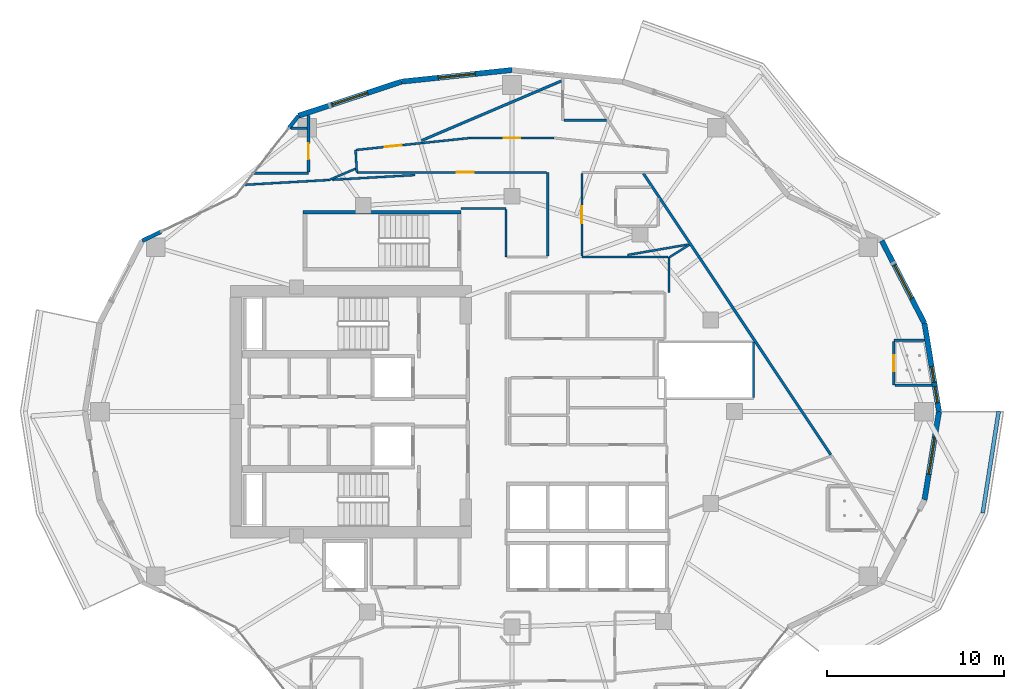
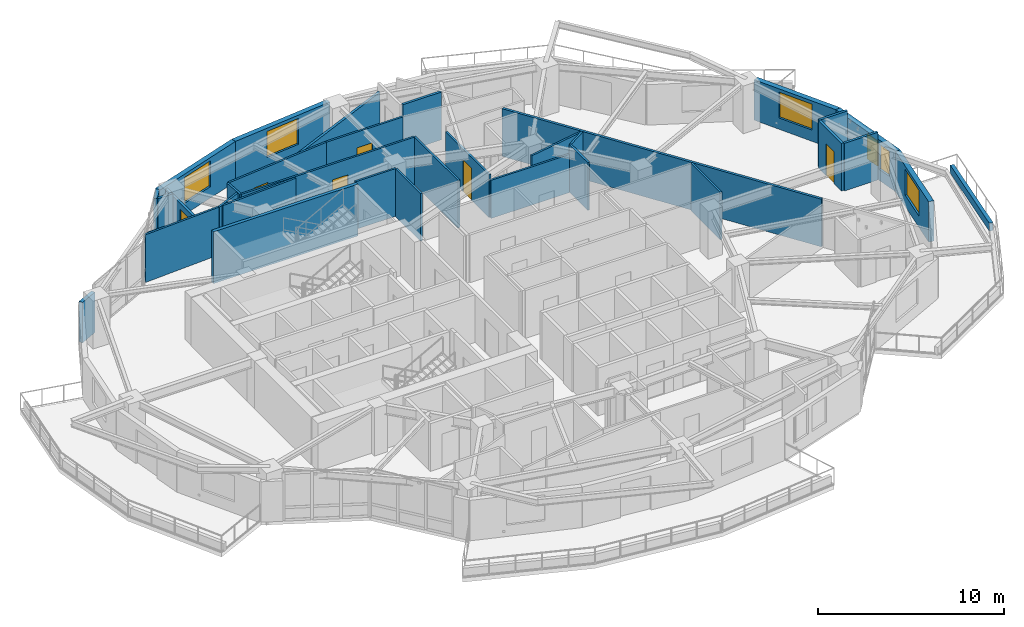
# One storey, part 11 of 18: 34 walls, 6 doors, 6 windows, 12 openings.
"""IFC4 building model written with IfcOpenShell, lengths in metres."""

from ifc_helpers import new_model, si_unit, direction, frame, frame_2d, origin, place, context, subcontext, project, spatial, rectangle, extrude, material, layer, layer_set, type_object, element, fill, save


model = new_model("IFC4")

# Units and contexts
model_context = context("Model", 3, precision=1e-05, world=origin(), true_north=direction((0.0, 1.0)))
body_context = subcontext(model_context, "Body", "Model", "MODEL_VIEW")
ifc_project = project(units=[si_unit("LENGTHUNIT", "METRE"), si_unit("AREAUNIT", "SQUARE_METRE"), si_unit("VOLUMEUNIT", "CUBIC_METRE"), si_unit("PLANEANGLEUNIT", "RADIAN"), si_unit("MASSUNIT", "GRAM", prefix="KILO")], contexts=[model_context])

# Site, building, storey
site_placement = place(None, origin())
site = spatial("IfcSite", under=ifc_project, at=site_placement, CompositionType="ELEMENT")
building_placement = place(site_placement, origin())
building = spatial("IfcBuilding", under=site, at=building_placement, Name="Kolvaren Gate Tower and Convention Centre", CompositionType="ELEMENT")
storey_placement = place(building_placement, frame((0.0, 0.0, 108.699951171875)))
storey = spatial("IfcBuildingStorey", under=building, at=storey_placement, Name="L26", CompositionType="ELEMENT", Elevation=108.699951171875)

# Walls
ifc_material_1 = material(Name="Fire-Rated Acoustic Gypsum Stud Partition", Category="gypsum")
ifc_layer_1 = layer(ifc_material_1, 0.1201171875)
ifc_layer_set_1 = layer_set([ifc_layer_1], Name="Fire-Rated Acoustic Gypsum Stud Partition")
wall_type_1 = type_object("IfcWallType", Name="ARCH-WL-PART-120", PredefinedType="PARTITIONING", material=ifc_layer_set_1)
wall_1_placement = place(storey_placement, frame((39.02001953125, 33.75, 0.0), z_axis=(0.0, 0.0, 1.0), x_axis=(0.0, 1.0, 0.0)))
element("IfcWall", 1, at=wall_1_placement, inside=storey, type_object=wall_type_1, Name="Interior Partition WL-L26-INT-029", PredefinedType="PARTITIONING", context=body_context, shape_type="SweptSolid", body=[
    extrude(rectangle(XDim=2.0, YDim=0.1201171875, at=frame_2d((1.0, 0.0))), origin(), (0.0, 0.0, 1.0), 3.130126953125),
])
wall_2_placement = place(storey_placement, frame((21.263916015625, 41.81787109375, 0.0), z_axis=(0.0, 0.0, 1.0), x_axis=(0.0574492264, -0.99834842935, 0.0)))
element("IfcWall", 2, at=wall_2_placement, inside=storey, type_object=wall_type_1, Name="Interior Partition WL-L26-INT-035", PredefinedType="PARTITIONING", context=body_context, shape_type="SweptSolid", body=[
    extrude(rectangle(XDim=1.270751953125, YDim=0.1201171875, at=frame_2d((0.63525390625, 0.0))), origin(), (0.0, 0.0, 1.0), 3.130126953125),
])
wall_3_placement = place(storey_placement, frame((27.25, 38.5, 0.0), z_axis=(0.0, 0.0, 1.0), x_axis=(1.0, 0.0, 0.0)))
element("IfcWall", 3, at=wall_3_placement, inside=storey, type_object=wall_type_1, Name="Interior Partition WL-L26-INT-039", PredefinedType="PARTITIONING", context=body_context, shape_type="SweptSolid", body=[
    extrude(rectangle(XDim=2.530029296875, YDim=0.1201171875, at=frame_2d((1.26513671875, 0.0))), origin(), (0.0, 0.0, 1.0), 3.130126953125),
])
wall_4_placement = place(storey_placement, frame((29.780029296875, 35.75, 0.0), z_axis=(0.0, 0.0, 1.0), x_axis=(0.0, 1.0, 0.0)))
element("IfcWall", 4, at=wall_4_placement, inside=storey, type_object=wall_type_1, Name="Interior Partition WL-L26-INT-043", PredefinedType="PARTITIONING", context=body_context, shape_type="SweptSolid", body=[
    extrude(rectangle(XDim=2.68798828125, YDim=0.1201171875, at=frame_2d((1.343994140625, 0.0))), origin(), (0.0, 0.0, 1.0), 3.130126953125),
])
wall_5_placement = place(storey_placement, frame((34.080078125, 35.75, 0.0), z_axis=(0.0, 0.0, 1.0), x_axis=(1.0, 0.0, 0.0)))
element("IfcWall", 5, at=wall_5_placement, inside=storey, type_object=wall_type_1, Name="Interior Partition WL-L26-INT-045", PredefinedType="PARTITIONING", context=body_context, shape_type="SweptSolid", body=[
    extrude(rectangle(XDim=4.8779296875, YDim=0.1201171875, at=frame_2d((2.43896484375, 0.0))), origin(), (0.0, 0.0, 1.0), 2.505126953125),
])
wall_6_placement = place(storey_placement, frame((32.14990234375, 35.81201171875, 0.0), z_axis=(0.0, 0.0, 1.0), x_axis=(0.0, 1.0, 0.0)))
element("IfcWall", 6, at=wall_6_placement, inside=storey, type_object=wall_type_1, Name="Interior Partition WL-L26-INT-046", PredefinedType="PARTITIONING", context=body_context, shape_type="SweptSolid", body=[
    extrude(rectangle(XDim=4.738037109375, YDim=0.1201171875, at=frame_2d((2.369140625, 0.0))), origin(), (0.0, 0.0, 1.0), 3.130126953125),
])

# Wall, opening, door
wall_7_placement = place(storey_placement, frame((21.3505859375, 40.550048828125, 0.0), z_axis=(0.0, 0.0, 1.0), x_axis=(1.0, 0.0, 0.0)))
wall_7 = element("IfcWall", 7, at=wall_7_placement, inside=storey, type_object=wall_type_1, Name="Interior Partition WL-L26-INT-047", PredefinedType="PARTITIONING", context=body_context, shape_type="SweptSolid", body=[
    extrude(rectangle(XDim=10.7373046875, YDim=0.1201171875, at=frame_2d((5.36865234375, 0.0))), origin(), (0.0, 0.0, 1.0), 3.130126953125),
])
opening_1_placement = place(wall_7_placement, frame((5.65576171875, 0.0, 0.0)))
opening_1 = element("IfcOpeningElement", 8, at=opening_1_placement, cuts=wall_7, Name="Opening DR-01", PredefinedType="OPENING", context=body_context, shape_type="SweptSolid", body=[
    extrude(rectangle(XDim=0.949951171875, YDim=2.10009765625, at=frame_2d((0.47509765625, 1.050048828125))), frame((0.0, 0.070068359375, 0.0), z_axis=(0.0, -1.0, 0.0), x_axis=(1.0, 0.0, 0.0)), (0.0, 0.0, 1.0), 0.14013671875),
])
ifc_material_2 = material(Name="Painted Architectural Steelwork ASTM A500 Grade C 345 MPa", Category="steel")
door_type_1 = type_object("IfcDoorType", Name="ARCH-DR-RISER-950", OperationType="SINGLE_SWING_RIGHT", PredefinedType="DOOR", material=ifc_material_2)
door_1_placement = place(opening_1_placement, origin())
door_1 = element("IfcDoor", 9, at=door_1_placement, inside=storey, type_object=door_type_1, Name="Hotel Botanical Clubroom Door", OperationType="SINGLE_SWING_LEFT", OverallHeight=2.10009765625, OverallWidth=0.949951171875, PredefinedType="DOOR", context=body_context, shape_type="SweptSolid", body=[
    extrude(rectangle(XDim=0.949951171875, YDim=2.10009765625, at=frame_2d((0.47509765625, 1.050048828125))), frame((0.0, 0.02490234375, 0.0), z_axis=(0.0, -1.0, 0.0), x_axis=(1.0, 0.0, 0.0)), (0.0, 0.0, 1.0), 0.050048828125),
])
fill(opening_1, door_1)

wall_8_placement = place(storey_placement, frame((21.282958984375, 41.819091796875, 0.0), z_axis=(0.0, 0.0, 1.0), x_axis=(0.994501131299, 0.104725831799, 0.0)))
wall_8 = element("IfcWall", 10, at=wall_8_placement, inside=storey, type_object=wall_type_1, Name="Interior Partition WL-L26-INT-049", PredefinedType="PARTITIONING", context=body_context, shape_type="SweptSolid", body=[
    extrude(rectangle(XDim=6.501708984375, YDim=0.1201171875, at=frame_2d((3.2509765625, 0.0))), origin(), (0.0, 0.0, 1.0), 3.130126953125),
])
opening_2_placement = place(wall_8_placement, frame((1.6494140625, 0.0, 0.0)))
opening_2 = element("IfcOpeningElement", 11, at=opening_2_placement, cuts=wall_8, Name="Opening DR-01", PredefinedType="OPENING", context=body_context, shape_type="SweptSolid", body=[
    extrude(rectangle(XDim=0.949951171875, YDim=2.10009765625, at=frame_2d((0.47509765625, 1.050048828125))), frame((0.0, 0.070068359375, 0.0), z_axis=(0.0, -1.0, 0.0), x_axis=(1.0, 0.0, 0.0)), (0.0, 0.0, 1.0), 0.14013671875),
])
door_2_placement = place(opening_2_placement, origin())
door_2 = element("IfcDoor", 12, at=door_2_placement, inside=storey, type_object=door_type_1, Name="Hotel Guest Room (HTL-L26-08) Door", OperationType="SINGLE_SWING_RIGHT", OverallHeight=2.10009765625, OverallWidth=0.949951171875, PredefinedType="DOOR", context=body_context, shape_type="SweptSolid", body=[
    extrude(rectangle(XDim=0.949951171875, YDim=2.10009765625, at=frame_2d((0.47509765625, 1.050048828125))), frame((0.0, 0.02490234375, 0.0), z_axis=(0.0, -1.0, 0.0), x_axis=(1.0, 0.0, 0.0)), (0.0, 0.0, 1.0), 0.050048828125),
])
fill(opening_2, door_2)

wall_9_placement = place(storey_placement, frame((27.7490234375, 42.5, 0.0), z_axis=(0.0, 0.0, 1.0), x_axis=(1.0, 0.0, 0.0)))
wall_9 = element("IfcWall", 13, at=wall_9_placement, inside=storey, type_object=wall_type_1, Name="Interior Partition WL-L26-INT-050", PredefinedType="PARTITIONING", context=body_context, shape_type="SweptSolid", body=[
    extrude(rectangle(XDim=4.751953125, YDim=0.1201171875, at=frame_2d((2.3759765625, 0.0))), origin(), (0.0, 0.0, 1.0), 3.130126953125),
])
opening_3_placement = place(wall_9_placement, frame((1.90087890625, 0.0, 0.0)))
opening_3 = element("IfcOpeningElement", 14, at=opening_3_placement, cuts=wall_9, Name="Opening DR-01", PredefinedType="OPENING", context=body_context, shape_type="SweptSolid", body=[
    extrude(rectangle(XDim=0.949951171875, YDim=2.10009765625, at=frame_2d((0.47509765625, 1.050048828125))), frame((0.0, 0.070068359375, 0.0), z_axis=(0.0, -1.0, 0.0), x_axis=(1.0, 0.0, 0.0)), (0.0, 0.0, 1.0), 0.14013671875),
])
door_3_placement = place(opening_3_placement, origin())
door_3 = element("IfcDoor", 15, at=door_3_placement, inside=storey, type_object=door_type_1, Name="Hotel Guest Room (HTL-L26-07) Door", OperationType="SINGLE_SWING_LEFT", OverallHeight=2.10009765625, OverallWidth=0.949951171875, PredefinedType="DOOR", context=body_context, shape_type="SweptSolid", body=[
    extrude(rectangle(XDim=0.949951171875, YDim=2.10009765625, at=frame_2d((0.47509765625, 1.050048828125))), frame((0.0, 0.02490234375, 0.0), z_axis=(0.0, -1.0, 0.0), x_axis=(1.0, 0.0, 0.0)), (0.0, 0.0, 1.0), 0.050048828125),
])
fill(opening_3, door_3)

wall_10_placement = place(storey_placement, frame((34.080078125, 35.81201171875, 0.0), z_axis=(0.0, 0.0, 1.0), x_axis=(0.0, 1.0, 0.0)))
wall_10 = element("IfcWall", 16, at=wall_10_placement, inside=storey, type_object=wall_type_1, Name="Interior Partition WL-L26-INT-053", PredefinedType="PARTITIONING", context=body_context, shape_type="SweptSolid", body=[
    extrude(rectangle(XDim=4.676025390625, YDim=0.1201171875, at=frame_2d((2.337890625, 0.0))), origin(), (0.0, 0.0, 1.0), 2.81201171875),
])
opening_4_placement = place(wall_10_placement, frame((1.863037109375, 0.0, 0.0)))
opening_4 = element("IfcOpeningElement", 17, at=opening_4_placement, cuts=wall_10, Name="Opening DR-01", PredefinedType="OPENING", context=body_context, shape_type="SweptSolid", body=[
    extrude(rectangle(XDim=0.949951171875, YDim=2.10009765625, at=frame_2d((0.47509765625, 1.050048828125))), frame((0.0, 0.070068359375, 0.0), z_axis=(0.0, -1.0, 0.0), x_axis=(1.0, 0.0, 0.0)), (0.0, 0.0, 1.0), 0.14013671875),
])
door_4_placement = place(opening_4_placement, origin())
door_4 = element("IfcDoor", 18, at=door_4_placement, inside=storey, type_object=door_type_1, Name="Hotel Guest Room (HTL-L26-06) Door", OperationType="SINGLE_SWING_RIGHT", OverallHeight=2.10009765625, OverallWidth=0.949951171875, PredefinedType="DOOR", context=body_context, shape_type="SweptSolid", body=[
    extrude(rectangle(XDim=0.949951171875, YDim=2.10009765625, at=frame_2d((0.47509765625, 1.050048828125))), frame((0.0, 0.02490234375, 0.0), z_axis=(0.0, -1.0, 0.0), x_axis=(1.0, 0.0, 0.0)), (0.0, 0.0, 1.0), 0.050048828125),
])
fill(opening_4, door_4)

# Walls
wall_11_placement = place(storey_placement, frame((43.800048828125, 27.81201171875, 0.0), z_axis=(0.0, 0.0, 1.0), x_axis=(0.0, 1.0, 0.0)))
element("IfcWall", 19, at=wall_11_placement, inside=storey, type_object=wall_type_1, Name="Interior Partition WL-L26-INT-078", PredefinedType="PARTITIONING", context=body_context, shape_type="SweptSolid", body=[
    extrude(rectangle(XDim=3.137939453125, YDim=0.1201171875, at=frame_2d((1.56884765625, 0.0))), origin(), (0.0, 0.0, 1.0), 3.130126953125),
])
wall_12_placement = place(storey_placement, frame((39.050048828125, 35.75, 0.0), z_axis=(0.0, 0.0, 1.0), x_axis=(0.848206690128, 0.529665376272, 0.0)))
element("IfcWall", 20, at=wall_12_placement, inside=storey, type_object=wall_type_1, Name="Interior Partition WL-L26-INT-082", PredefinedType="PARTITIONING", context=body_context, shape_type="SweptSolid", body=[
    extrude(rectangle(XDim=1.31591796875, YDim=0.1201171875, at=frame_2d((0.657958984375, 0.0))), origin(), (0.0, 0.0, 1.0), 3.130126953125),
])
wall_13_placement = place(storey_placement, frame((36.663818359375, 35.8720703125, 0.0), z_axis=(0.0, 0.0, 1.0), x_axis=(0.985420944478, 0.170133953648, 0.0)))
element("IfcWall", 21, at=wall_13_placement, inside=storey, type_object=wall_type_1, Name="Interior Partition WL-L26-INT-089", PredefinedType="PARTITIONING", context=body_context, shape_type="SweptSolid", body=[
    extrude(rectangle(XDim=3.456787109375, YDim=0.1201171875, at=frame_2d((1.728515625, 0.0))), origin(), (0.0, 0.0, 1.0), 3.130126953125),
])
wall_14_placement = place(storey_placement, frame((19.724609375, 40.102783203125, 0.0), z_axis=(0.0, 0.0, 1.0), x_axis=(0.919883543783, 0.392191618826, 0.0)))
element("IfcWall", 22, at=wall_14_placement, inside=storey, type_object=wall_type_1, Name="Interior Partition WL-L26-INT-092", PredefinedType="PARTITIONING", context=body_context, shape_type="SweptSolid", body=[
    extrude(rectangle(XDim=1.672119140625, YDim=0.1201171875, at=frame_2d((0.8359375, 0.0))), origin(), (0.0, 0.0, 1.0), 3.130126953125),
])
wall_15_placement = place(storey_placement, frame((14.99951171875, 39.84765625, 0.0), z_axis=(0.0, 0.0, 1.0), x_axis=(0.998363675759, 0.057183659599, 0.0)))
element("IfcWall", 23, at=wall_15_placement, inside=storey, type_object=wall_type_1, Name="Interior Partition WL-L26-INT-097", PredefinedType="PARTITIONING", context=body_context, shape_type="SweptSolid", body=[
    extrude(rectangle(XDim=4.726318359375, YDim=0.1201171875, at=frame_2d((2.36328125, 0.0))), origin(), (0.0, 0.0, 1.0), 3.130126953125),
])
wall_16_placement = place(storey_placement, frame((19.94970703125, 40.13134765625, 0.0), z_axis=(0.0, 0.0, 1.0), x_axis=(0.998364901087, 0.057162262711, 0.0)))
element("IfcWall", 24, at=wall_16_placement, inside=storey, type_object=wall_type_1, Name="Interior Partition WL-L26-INT-097 (2)", PredefinedType="PARTITIONING", context=body_context, shape_type="SweptSolid", body=[
    extrude(rectangle(XDim=4.697998046875, YDim=0.1201171875, at=frame_2d((2.34912109375, 0.0))), origin(), (0.0, 0.0, 1.0), 3.130126953125),
])
ifc_material_3 = material(Name="Bogota Sabana Bush-Hammered Sandstone Cladding", Category="masonry")
ifc_layer_2 = layer(ifc_material_3, 0.219970703125)
ifc_layer_set_2 = layer_set([ifc_layer_2], Name="Bogota Sabana Bush-Hammered Sandstone Cladding")
wall_type_2 = type_object("IfcWallType", Name="ARCH-WL-PIER-220", PredefinedType="SOLIDWALL", material=ifc_layer_set_2)
wall_17_placement = place(storey_placement, frame((17.491455078125, 43.06787109375, 0.0), z_axis=(0.0, 0.0, 1.0), x_axis=(0.616330810297, 0.787487353726, 0.0)))
element("IfcWall", 25, at=wall_17_placement, inside=storey, type_object=wall_type_2, Name="Tower L26 Unitised Curtain Wall CW-HTL-UNIT Bay 08 Right Column Pier Wrap", PredefinedType="SOLIDWALL", context=body_context, shape_type="SweptSolid", body=[
    extrude(rectangle(XDim=0.875732421875, YDim=0.219970703125, at=frame_2d((0.43798828125, 0.0))), origin(), (0.0, 0.0, 1.0), 2.653076171875),
])
wall_18_placement = place(storey_placement, frame((9.177978515625, 36.675048828125, 0.0), z_axis=(0.0, 0.0, 1.0), x_axis=(0.901426247285, 0.432932697664, 0.0)))
element("IfcWall", 26, at=wall_18_placement, inside=storey, type_object=wall_type_2, Name="Tower L26 Unitised Curtain Wall CW-HTL-UNIT Bay 09 Left Column Pier Wrap", PredefinedType="SOLIDWALL", context=body_context, shape_type="SweptSolid", body=[
    extrude(rectangle(XDim=1.180908203125, YDim=0.219970703125, at=frame_2d((0.59033203125, 0.0))), origin(), (0.0, 0.0, 1.0), 2.653076171875),
])
ifc_material_4 = material(Name="Piedmont Cream Honed Limestone Cladding", Category="masonry")
ifc_layer_3 = layer(ifc_material_4, 0.219970703125)
ifc_layer_set_3 = layer_set([ifc_layer_3], Name="Piedmont Cream Honed Limestone Cladding")
wall_type_3 = type_object("IfcWallType", Name="ARCH-WL-PLANTER-220", PredefinedType="PARAPET", material=ifc_layer_set_3)
wall_19_placement = place(storey_placement, frame((56.78857421875, 21.254150390625, 0.0), z_axis=(0.0, 0.0, 1.0), x_axis=(0.154903030247, 0.987929679289, 0.0)))
element("IfcWall", 27, at=wall_19_placement, inside=storey, type_object=wall_type_3, Name="Vertical-Forest Balcony Stone Planter Kerb PK-L26-4.3", PredefinedType="PARAPET", context=body_context, shape_type="SweptSolid", body=[
    extrude(rectangle(XDim=5.845703125, YDim=0.219970703125, at=frame_2d((2.9228515625, 0.0))), origin(), (0.0, 0.0, 1.0), 0.52001953125),
])

# Wall, openings, windows
ifc_layer_4 = layer(ifc_material_4, 0.300048828125)
ifc_layer_set_4 = layer_set([ifc_layer_4], Name="Piedmont Cream Honed Limestone Cladding")
wall_type_4 = type_object("IfcWallType", Name="ARCH-WL-STONE-300", PredefinedType="SOLIDWALL", material=ifc_layer_set_4)
wall_20_placement = place(storey_placement, frame((53.48828125, 32.008056640625, 0.0), z_axis=(0.0, 0.0, 1.0), x_axis=(0.162393944769, -0.986726003864, 0.0)))
wall_20 = element("IfcWall", 28, at=wall_20_placement, inside=storey, type_object=wall_type_4, Name="Tower L26 Honed Stone Spandrel Wall EW-00", PredefinedType="SOLIDWALL", context=body_context, shape_type="SweptSolid", body=[
    extrude(rectangle(XDim=5.075439453125, YDim=0.300048828125, at=frame_2d((2.53759765625, 0.0))), origin(), (0.0, 0.0, 1.0), 2.653076171875),
])
opening_5_placement = place(wall_20_placement, frame((2.489990234375, 0.0, 0.719970703125)))
opening_5 = element("IfcOpeningElement", 29, at=opening_5_placement, cuts=wall_20, Name="Opening W-06", PredefinedType="OPENING", context=body_context, shape_type="SweptSolid", body=[
    extrude(rectangle(XDim=0.89990234375, YDim=1.64990234375, at=frame_2d((0.449951171875, 0.824951171875))), frame((0.0, 0.159912109375, 0.0), z_axis=(0.0, -1.0, 0.0), x_axis=(1.0, 0.0, 0.0)), (0.0, 0.0, 1.0), 0.320068359375),
])
opening_6_placement = place(wall_20_placement, frame((3.660400390625, 0.0, 0.719970703125)))
opening_6 = element("IfcOpeningElement", 30, at=opening_6_placement, cuts=wall_20, Name="Opening W-06", PredefinedType="OPENING", context=body_context, shape_type="SweptSolid", body=[
    extrude(rectangle(XDim=0.89990234375, YDim=1.64990234375, at=frame_2d((0.449951171875, 0.824951171875))), frame((0.0, 0.159912109375, 0.0), z_axis=(0.0, -1.0, 0.0), x_axis=(1.0, 0.0, 0.0)), (0.0, 0.0, 1.0), 0.320068359375),
])
ifc_material_5 = material(Name="Low-E Triple Insulated Glazing Unit 44 mm", Category="glass")
window_type_1 = type_object("IfcWindowType", Name="ARCH-WN-PUNCH-900", PartitioningType="SINGLE_PANEL", PredefinedType="WINDOW", material=ifc_material_5)
window_1_placement = place(opening_5_placement, origin())
window_1 = element("IfcWindow", 31, at=window_1_placement, inside=storey, type_object=window_type_1, Name="Tower L26 Punched Stone Facade Window W-00", OverallHeight=1.64990234375, OverallWidth=0.89990234375, PartitioningType="SINGLE_PANEL", PredefinedType="WINDOW", context=body_context, shape_type="SweptSolid", body=[
    extrude(rectangle(XDim=0.89990234375, YDim=1.64990234375, at=frame_2d((0.449951171875, 0.824951171875))), frame((0.0, 0.030029296875, 0.0), z_axis=(0.0, -1.0, 0.0), x_axis=(1.0, 0.0, 0.0)), (0.0, 0.0, 1.0), 0.06005859375),
])
fill(opening_5, window_1)
window_2_placement = place(opening_6_placement, origin())
window_2 = element("IfcWindow", 32, at=window_2_placement, inside=storey, type_object=window_type_1, Name="Tower L26 Punched Stone Facade Window W-00B", OverallHeight=1.64990234375, OverallWidth=0.89990234375, PartitioningType="SINGLE_PANEL", PredefinedType="WINDOW", context=body_context, shape_type="SweptSolid", body=[
    extrude(rectangle(XDim=0.89990234375, YDim=1.64990234375, at=frame_2d((0.449951171875, 0.824951171875))), frame((0.0, 0.030029296875, 0.0), z_axis=(0.0, -1.0, 0.0), x_axis=(1.0, 0.0, 0.0)), (0.0, 0.0, 1.0), 0.06005859375),
])
fill(opening_6, window_2)

# Wall, opening, window
wall_21_placement = place(storey_placement, frame((51.072021484375, 36.675048828125, 0.0), z_axis=(0.0, 0.0, 1.0), x_axis=(0.459767899643, -0.888039119892, 0.0)))
wall_21 = element("IfcWall", 33, at=wall_21_placement, inside=storey, type_object=wall_type_4, Name="Tower L26 Honed Stone Spandrel Wall EW-01", PredefinedType="SOLIDWALL", context=body_context, shape_type="SweptSolid", body=[
    extrude(rectangle(XDim=5.25537109375, YDim=0.300048828125, at=frame_2d((2.627685546875, 0.0))), origin(), (0.0, 0.0, 1.0), 2.653076171875),
])
opening_7_placement = place(wall_21_placement, frame((1.577880859375, 0.0, 0.739990234375)))
opening_7 = element("IfcOpeningElement", 34, at=opening_7_placement, cuts=wall_21, Name="Opening W-02", PredefinedType="OPENING", context=body_context, shape_type="SweptSolid", body=[
    extrude(rectangle(XDim=2.10009765625, YDim=1.699951171875, at=frame_2d((1.050048828125, 0.85009765625))), frame((0.0, 0.159912109375, 0.0), z_axis=(0.0, -1.0, 0.0), x_axis=(1.0, 0.0, 0.0)), (0.0, 0.0, 1.0), 0.320068359375),
])
window_type_2 = type_object("IfcWindowType", Name="ARCH-WN-HTL-2100", PartitioningType="SINGLE_PANEL", PredefinedType="WINDOW", material=ifc_material_5)
window_3_placement = place(opening_7_placement, origin())
window_3 = element("IfcWindow", 35, at=window_3_placement, inside=storey, type_object=window_type_2, Name="Tower L26 Punched Stone Facade Window W-01", OverallHeight=1.699951171875, OverallWidth=2.10009765625, PartitioningType="SINGLE_PANEL", PredefinedType="WINDOW", context=body_context, shape_type="SweptSolid", body=[
    extrude(rectangle(XDim=2.10009765625, YDim=1.699951171875, at=frame_2d((1.050048828125, 0.85009765625))), frame((0.0, 0.030029296875, 0.0), z_axis=(0.0, -1.0, 0.0), x_axis=(1.0, 0.0, 0.0)), (0.0, 0.0, 1.0), 0.06005859375),
])
fill(opening_7, window_3)

wall_22_placement = place(storey_placement, frame((23.86474609375, 45.690673828125, 0.0), z_axis=(0.0, 0.0, 1.0), x_axis=(0.994498012394, 0.104755445421, 0.0)))
wall_22 = element("IfcWall", 36, at=wall_22_placement, inside=storey, type_object=wall_type_4, Name="Tower L26 Honed Stone Spandrel Wall EW-06", PredefinedType="SOLIDWALL", context=body_context, shape_type="SweptSolid", body=[
    extrude(rectangle(XDim=6.294921875, YDim=0.300048828125, at=frame_2d((3.1474609375, 0.0))), origin(), (0.0, 0.0, 1.0), 2.653076171875),
])
opening_8_placement = place(wall_22_placement, frame((2.096923828125, 0.0, 0.739990234375)))
opening_8 = element("IfcOpeningElement", 37, at=opening_8_placement, cuts=wall_22, Name="Opening W-02", PredefinedType="OPENING", context=body_context, shape_type="SweptSolid", body=[
    extrude(rectangle(XDim=2.10009765625, YDim=1.699951171875, at=frame_2d((1.050048828125, 0.85009765625))), frame((0.0, 0.159912109375, 0.0), z_axis=(0.0, -1.0, 0.0), x_axis=(1.0, 0.0, 0.0)), (0.0, 0.0, 1.0), 0.320068359375),
])
window_4_placement = place(opening_8_placement, origin())
window_4 = element("IfcWindow", 38, at=window_4_placement, inside=storey, type_object=window_type_2, Name="Tower L26 Punched Stone Facade Window W-06", OverallHeight=1.699951171875, OverallWidth=2.10009765625, PartitioningType="SINGLE_PANEL", PredefinedType="WINDOW", context=body_context, shape_type="SweptSolid", body=[
    extrude(rectangle(XDim=2.10009765625, YDim=1.699951171875, at=frame_2d((1.050048828125, 0.85009765625))), frame((0.0, 0.030029296875, 0.0), z_axis=(0.0, -1.0, 0.0), x_axis=(1.0, 0.0, 0.0)), (0.0, 0.0, 1.0), 0.06005859375),
])
fill(opening_8, window_4)

wall_23_placement = place(storey_placement, frame((18.03125, 43.757568359375, 0.0), z_axis=(0.0, 0.0, 1.0), x_axis=(0.949238009374, 0.314558741032, 0.0)))
wall_23 = element("IfcWall", 39, at=wall_23_placement, inside=storey, type_object=wall_type_4, Name="Tower L26 Honed Stone Spandrel Wall EW-07", PredefinedType="SOLIDWALL", context=body_context, shape_type="SweptSolid", body=[
    extrude(rectangle(XDim=6.1455078125, YDim=0.300048828125, at=frame_2d((3.07275390625, 0.0))), origin(), (0.0, 0.0, 1.0), 2.653076171875),
])
opening_9_placement = place(wall_23_placement, frame((2.02294921875, 0.0, 0.739990234375)))
opening_9 = element("IfcOpeningElement", 40, at=opening_9_placement, cuts=wall_23, Name="Opening W-02", PredefinedType="OPENING", context=body_context, shape_type="SweptSolid", body=[
    extrude(rectangle(XDim=2.10009765625, YDim=1.699951171875, at=frame_2d((1.050048828125, 0.85009765625))), frame((0.0, 0.159912109375, 0.0), z_axis=(0.0, -1.0, 0.0), x_axis=(1.0, 0.0, 0.0)), (0.0, 0.0, 1.0), 0.320068359375),
])
window_5_placement = place(opening_9_placement, origin())
window_5 = element("IfcWindow", 41, at=window_5_placement, inside=storey, type_object=window_type_2, Name="Tower L26 Punched Stone Facade Window W-07", OverallHeight=1.699951171875, OverallWidth=2.10009765625, PartitioningType="SINGLE_PANEL", PredefinedType="WINDOW", context=body_context, shape_type="SweptSolid", body=[
    extrude(rectangle(XDim=2.10009765625, YDim=1.699951171875, at=frame_2d((1.050048828125, 0.85009765625))), frame((0.0, 0.030029296875, 0.0), z_axis=(0.0, -1.0, 0.0), x_axis=(1.0, 0.0, 0.0)), (0.0, 0.0, 1.0), 0.06005859375),
])
fill(opening_9, window_5)

wall_24_placement = place(storey_placement, frame((53.48828125, 21.991943359375, 0.0), z_axis=(0.0, 0.0, 1.0), x_axis=(0.162393944769, 0.986726003864, 0.0)))
wall_24 = element("IfcWall", 42, at=wall_24_placement, inside=storey, type_object=wall_type_4, Name="Tower L26 Honed Stone Spandrel Wall EW-23", PredefinedType="SOLIDWALL", context=body_context, shape_type="SweptSolid", body=[
    extrude(rectangle(XDim=5.075439453125, YDim=0.300048828125, at=frame_2d((2.53759765625, 0.0))), origin(), (0.0, 0.0, 1.0), 2.653076171875),
])
opening_10_placement = place(wall_24_placement, frame((1.488037109375, 0.0, 0.739990234375)))
opening_10 = element("IfcOpeningElement", 43, at=opening_10_placement, cuts=wall_24, Name="Opening W-02", PredefinedType="OPENING", context=body_context, shape_type="SweptSolid", body=[
    extrude(rectangle(XDim=2.10009765625, YDim=1.699951171875, at=frame_2d((1.050048828125, 0.85009765625))), frame((0.0, 0.159912109375, 0.0), z_axis=(0.0, -1.0, 0.0), x_axis=(1.0, 0.0, 0.0)), (0.0, 0.0, 1.0), 0.320068359375),
])
window_6_placement = place(opening_10_placement, origin())
window_6 = element("IfcWindow", 44, at=window_6_placement, inside=storey, type_object=window_type_2, Name="Tower L26 Punched Stone Facade Window W-23", OverallHeight=1.699951171875, OverallWidth=2.10009765625, PartitioningType="SINGLE_PANEL", PredefinedType="WINDOW", context=body_context, shape_type="SweptSolid", body=[
    extrude(rectangle(XDim=2.10009765625, YDim=1.699951171875, at=frame_2d((1.050048828125, 0.85009765625))), frame((0.0, 0.030029296875, 0.0), z_axis=(0.0, -1.0, 0.0), x_axis=(1.0, 0.0, 0.0)), (0.0, 0.0, 1.0), 0.06005859375),
])
fill(opening_10, window_6)

# Walls
ifc_material_6 = material(Name="Moisture-Resistant Cement-Board Acoustic Partition", Category="gypsum")
ifc_layer_5 = layer(ifc_material_6, 0.14990234375)
ifc_layer_set_5 = layer_set([ifc_layer_5], Name="Moisture-Resistant Cement-Board Acoustic Partition")
wall_type_5 = type_object("IfcWallType", Name="ARCH-WL-WET-150", PredefinedType="PARTITIONING", material=ifc_layer_set_5)
wall_25_placement = place(storey_placement, frame((37.5654296875, 40.488037109375, 0.0), z_axis=(0.0, 0.0, 1.0), x_axis=(0.554585457046, -0.832126775698, 0.0)))
element("IfcWall", 45, at=wall_25_placement, inside=storey, type_object=wall_type_5, Name="Interior Partition WL-L26-INT-073", PredefinedType="PARTITIONING", context=body_context, shape_type="SweptSolid", body=[
    extrude(rectangle(XDim=19.15087890625, YDim=0.14990234375, at=frame_2d((9.575439453125, 0.0))), origin(), (0.0, 0.0, 1.0), 3.130126953125),
])
wall_26_placement = place(storey_placement, frame((51.75, 31.050048828125, 0.0), z_axis=(0.0, 0.0, 1.0), x_axis=(1.0, 0.0, 0.0)))
element("IfcWall", 46, at=wall_26_placement, inside=storey, type_object=wall_type_5, Name="Interior Partition WL-L26-INT-083", PredefinedType="PARTITIONING", context=body_context, shape_type="SweptSolid", body=[
    extrude(rectangle(XDim=1.741943359375, YDim=0.14990234375, at=frame_2d((0.87109375, 0.0))), origin(), (0.0, 0.0, 1.0), 3.130126953125),
])

# Wall, opening, door
wall_27_placement = place(storey_placement, frame((51.75, 28.5, 0.0), z_axis=(0.0, 0.0, 1.0), x_axis=(0.0, 1.0, 0.0)))
wall_27 = element("IfcWall", 47, at=wall_27_placement, inside=storey, type_object=wall_type_5, Name="Interior Partition WL-L26-INT-084", PredefinedType="PARTITIONING", context=body_context, shape_type="SweptSolid", body=[
    extrude(rectangle(XDim=2.472900390625, YDim=0.14990234375, at=frame_2d((1.236328125, 0.0))), origin(), (0.0, 0.0, 1.0), 3.130126953125),
])
opening_11_placement = place(wall_27_placement, frame((0.78662109375, 0.0, 0.0)))
opening_11 = element("IfcOpeningElement", 48, at=opening_11_placement, cuts=wall_27, Name="Opening DW-01", PredefinedType="OPENING", context=body_context, shape_type="SweptSolid", body=[
    extrude(rectangle(XDim=0.89990234375, YDim=2.10009765625, at=frame_2d((0.449951171875, 1.050048828125))), frame((0.0, 0.0849609375, 0.0), z_axis=(0.0, -1.0, 0.0), x_axis=(1.0, 0.0, 0.0)), (0.0, 0.0, 1.0), 0.169921875),
])
ifc_material_7 = material(Name="FSC Andean Oak Engineered Veneer Door Leaf", Category="wood")
door_type_2 = type_object("IfcDoorType", Name="ARCH-DR-WC-900", OperationType="SINGLE_SWING_RIGHT", PredefinedType="DOOR", material=ifc_material_7)
door_5_placement = place(opening_11_placement, origin())
door_5 = element("IfcDoor", 49, at=door_5_placement, inside=storey, type_object=door_type_2, Name="En-suite Bathroom (HTL-L26-05) Door", OperationType="SINGLE_SWING_LEFT", OverallHeight=2.10009765625, OverallWidth=0.89990234375, PredefinedType="DOOR", context=body_context, shape_type="SweptSolid", body=[
    extrude(rectangle(XDim=0.89990234375, YDim=2.10009765625, at=frame_2d((0.449951171875, 1.050048828125))), frame((0.0, 0.02490234375, 0.0), z_axis=(0.0, -1.0, 0.0), x_axis=(1.0, 0.0, 0.0)), (0.0, 0.0, 1.0), 0.050048828125),
])
fill(opening_11, door_5)

# Walls
wall_28_placement = place(storey_placement, frame((51.826904296875, 28.5, 0.0), z_axis=(0.0, 0.0, 1.0), x_axis=(1.0, 0.0, 0.0)))
element("IfcWall", 50, at=wall_28_placement, inside=storey, type_object=wall_type_5, Name="Interior Partition WL-L26-INT-085", PredefinedType="PARTITIONING", context=body_context, shape_type="SweptSolid", body=[
    extrude(rectangle(XDim=2.084716796875, YDim=0.14990234375, at=frame_2d((1.04248046875, 0.0))), origin(), (0.0, 0.0, 1.0), 3.130126953125),
])
wall_29_placement = place(storey_placement, frame((33.076904296875, 43.5, 0.0), z_axis=(0.0, 0.0, 1.0), x_axis=(1.0, 0.0, 0.0)))
element("IfcWall", 51, at=wall_29_placement, inside=storey, type_object=wall_type_5, Name="Interior Partition WL-L26-INT-091", PredefinedType="PARTITIONING", context=body_context, shape_type="SweptSolid", body=[
    extrude(rectangle(XDim=2.388671875, YDim=0.14990234375, at=frame_2d((1.1943359375, 0.0))), origin(), (0.0, 0.0, 1.0), 3.130126953125),
])
wall_30_placement = place(storey_placement, frame((24.98828125, 42.346923828125, 0.0), z_axis=(0.0, 0.0, 1.0), x_axis=(0.919871040712, 0.392220943423, 0.0)))
element("IfcWall", 52, at=wall_30_placement, inside=storey, type_object=wall_type_5, Name="Interior Partition WL-L26-INT-093", PredefinedType="PARTITIONING", context=body_context, shape_type="SweptSolid", body=[
    extrude(rectangle(XDim=8.6259765625, YDim=0.14990234375, at=frame_2d((4.31298828125, 0.0))), origin(), (0.0, 0.0, 1.0), 2.653076171875),
])
wall_31_placement = place(storey_placement, frame((15.51025390625, 40.5, 0.0), z_axis=(0.0, 0.0, 1.0), x_axis=(1.0, 0.0, 0.0)))
element("IfcWall", 53, at=wall_31_placement, inside=storey, type_object=wall_type_5, Name="Interior Partition WL-L26-INT-094", PredefinedType="PARTITIONING", context=body_context, shape_type="SweptSolid", body=[
    extrude(rectangle(XDim=3.08984375, YDim=0.14990234375, at=frame_2d((1.544921875, 0.0))), origin(), (0.0, 0.0, 1.0), 2.653076171875),
])

# Wall, opening, door
wall_32_placement = place(storey_placement, frame((18.60009765625, 40.576904296875, 0.0), z_axis=(0.0, 0.0, 1.0), x_axis=(0.0, 1.0, 0.0)))
wall_32 = element("IfcWall", 54, at=wall_32_placement, inside=storey, type_object=wall_type_5, Name="Interior Partition WL-L26-INT-095", PredefinedType="PARTITIONING", context=body_context, shape_type="SweptSolid", body=[
    extrude(rectangle(XDim=3.208984375, YDim=0.14990234375, at=frame_2d((1.6044921875, 0.0))), origin(), (0.0, 0.0, 1.0), 2.505126953125),
])
opening_12_placement = place(wall_32_placement, frame((0.71142578125, 0.0, 0.0)))
opening_12 = element("IfcOpeningElement", 55, at=opening_12_placement, cuts=wall_32, Name="Opening DW-01", PredefinedType="OPENING", context=body_context, shape_type="SweptSolid", body=[
    extrude(rectangle(XDim=0.89990234375, YDim=2.10009765625, at=frame_2d((0.449951171875, 1.050048828125))), frame((0.0, 0.0849609375, 0.0), z_axis=(0.0, -1.0, 0.0), x_axis=(1.0, 0.0, 0.0)), (0.0, 0.0, 1.0), 0.169921875),
])
door_6_placement = place(opening_12_placement, origin())
door_6 = element("IfcDoor", 56, at=door_6_placement, inside=storey, type_object=door_type_2, Name="En-suite Bathroom (HTL-L26-08) Door", OperationType="SINGLE_SWING_RIGHT", OverallHeight=2.10009765625, OverallWidth=0.89990234375, PredefinedType="DOOR", context=body_context, shape_type="SweptSolid", body=[
    extrude(rectangle(XDim=0.89990234375, YDim=2.10009765625, at=frame_2d((0.449951171875, 1.050048828125))), frame((0.0, 0.02490234375, 0.0), z_axis=(0.0, -1.0, 0.0), x_axis=(1.0, 0.0, 0.0)), (0.0, 0.0, 1.0), 0.050048828125),
])
fill(opening_12, door_6)

# Walls
wall_33_placement = place(storey_placement, frame((17.61962890625, 43.050048828125, 0.0), z_axis=(0.0, 0.0, 1.0), x_axis=(1.0, 0.0, 0.0)))
element("IfcWall", 57, at=wall_33_placement, inside=storey, type_object=wall_type_5, Name="Interior Partition WL-L26-INT-096", PredefinedType="PARTITIONING", context=body_context, shape_type="SweptSolid", body=[
    extrude(rectangle(XDim=0.9033203125, YDim=0.14990234375, at=frame_2d((0.45166015625, 0.0))), origin(), (0.0, 0.0, 1.0), 2.653076171875),
])
ifc_material_8 = material(Name="Concrete C50/60", Category="concrete")
ifc_layer_6 = layer(ifc_material_8, 0.199951171875)
ifc_layer_set_6 = layer_set([ifc_layer_6], Name="Concrete C50/60")
wall_type_6 = type_object("IfcWallType", Name="STR-WL-SHAFT-200", PredefinedType="SHEAR", material=ifc_layer_set_6)
wall_34_placement = place(storey_placement, frame((18.300048828125, 38.300048828125, -0.27001953125), z_axis=(0.0, 0.0, 1.0), x_axis=(1.0, 0.0, 0.0)))
element("IfcWall", 58, at=wall_34_placement, inside=storey, type_object=wall_type_6, Name="Tower Mid-Zone Exit Stair ST-T3 L26 Structural Shear Enclosure Wall LEFT", PredefinedType="SHEAR", context=body_context, shape_type="SweptSolid", body=[
    extrude(rectangle(XDim=8.949951171875, YDim=0.199951171875, at=frame_2d((4.47509765625, 0.0))), origin(), (0.0, 0.0, 1.0), 3.400146484375),
])

save(model, "model.ifc")
